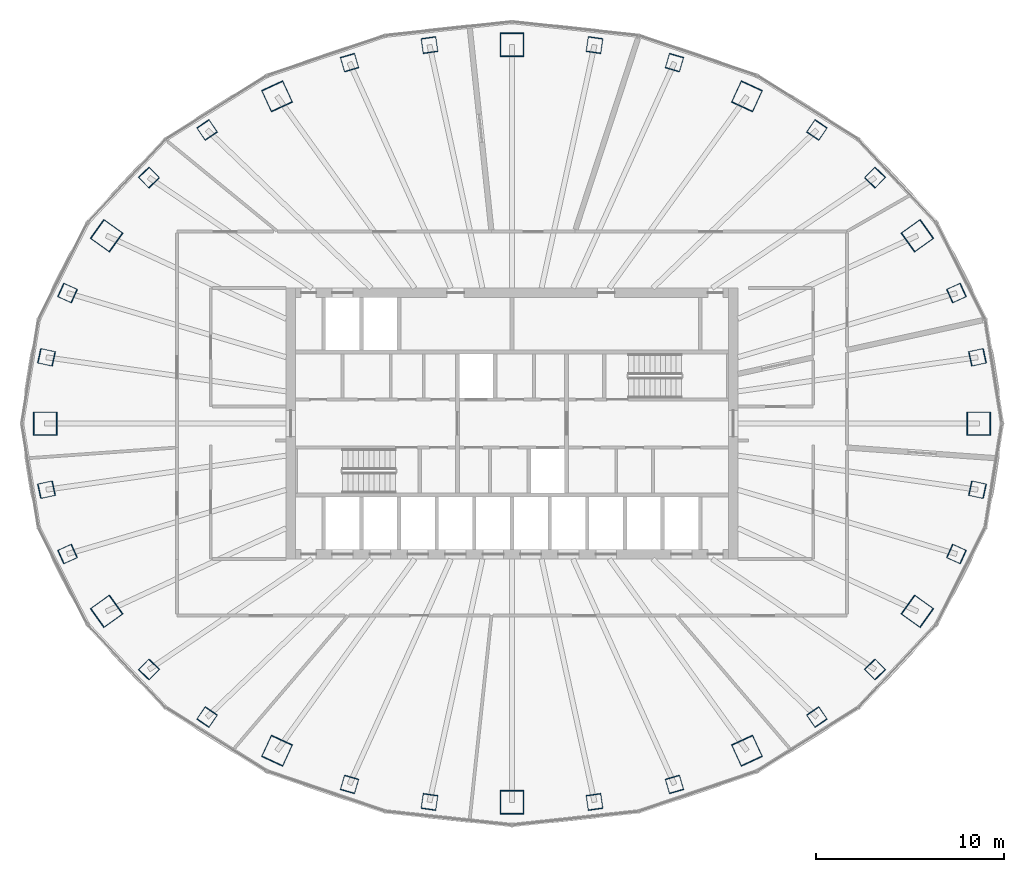
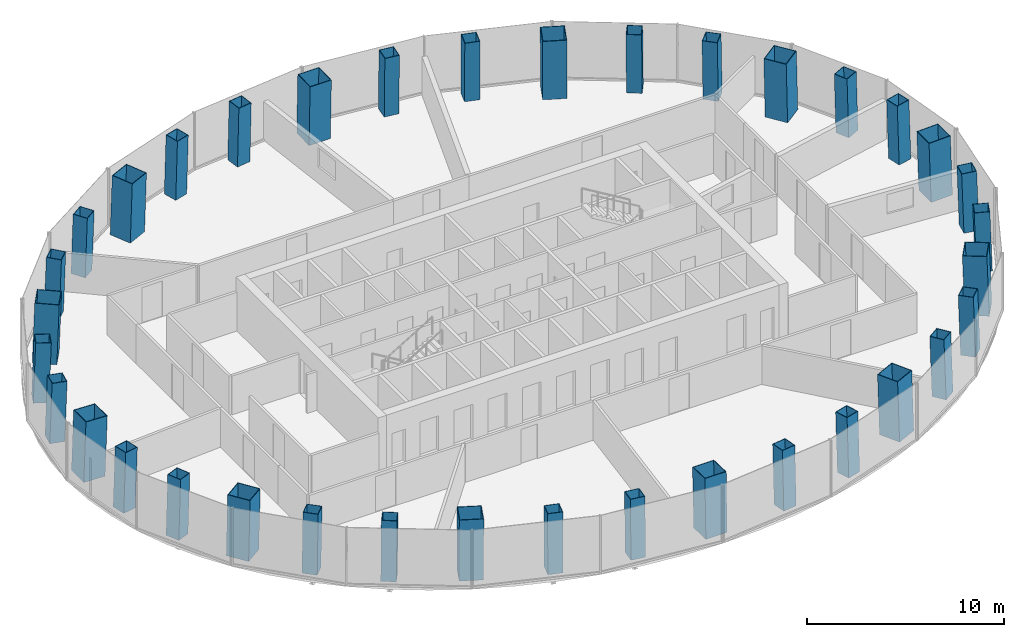
# One storey, part 1 of 12: 36 columns.
"""IFC4 building model written with IfcOpenShell, lengths in metres."""

from ifc_helpers import new_model, si_unit, direction, frame, origin, origin_2d, place, context, subcontext, project, spatial, hollow_rectangle, extrude, material, material_profile, profile_set, type_object, element, save


model = new_model("IFC4")

# Units and contexts
model_context = context("Model", 3, precision=1e-05, world=origin(), true_north=direction((0.0, 1.0)))
body_context = subcontext(model_context, "Body", "Model", "MODEL_VIEW")
ifc_project = project(units=[si_unit("LENGTHUNIT", "METRE"), si_unit("AREAUNIT", "SQUARE_METRE"), si_unit("VOLUMEUNIT", "CUBIC_METRE"), si_unit("PLANEANGLEUNIT", "RADIAN"), si_unit("MASSUNIT", "GRAM", prefix="KILO")], contexts=[model_context])

# Site, building, storey
site_placement = place(None, origin())
site = spatial("IfcSite", under=ifc_project, at=site_placement, CompositionType="ELEMENT")
building_placement = place(site_placement, origin())
building = spatial("IfcBuilding", under=site, at=building_placement, Name="Siaravel Broadcast Tower", CompositionType="ELEMENT")
storey_placement = place(building_placement, frame((0.0, 0.0, 104.5)))
storey = spatial("IfcBuildingStorey", under=building, at=storey_placement, Name="L24", CompositionType="ELEMENT", Elevation=104.5)

# Columns
ifc_material = material(Name="Concrete C60/75", Category="concrete")
ifc_material_profile_1 = material_profile(ifc_material, hollow_rectangle(XDim=1.25, YDim=1.25, WallThickness=0.031982421875, at=origin_2d()))
ifc_profile_set_1 = profile_set([ifc_material_profile_1], Name="Concrete C60/75")
column_type_1 = type_object("IfcColumnType", Name="COL-CFT BOX 1250x1250x32", PredefinedType="COLUMN", material=ifc_profile_set_1)
column_1_placement = place(storey_placement, frame((24.825439453125, 0.0, 0.0), z_axis=(-0.034555398, 0.0, 0.999402784), x_axis=(0.0, -1.0, 0.0)))
element("IfcColumn", 1, at=column_1_placement, inside=storey, type_object=column_type_1, Name="Megacolumn MC01", PredefinedType="COLUMN", context=body_context, shape_type="SweptSolid", body=[
    extrude(hollow_rectangle(XDim=1.25, YDim=1.25, WallThickness=0.031982421875, at=origin_2d()), origin(), (0.0, 0.0, 1.0), 3.7021484375),
])
column_2_placement = place(storey_placement, frame((21.552978515625, 9.984130859375, 0.0), z_axis=(-0.029940695, -0.014113015, 0.999452039), x_axis=(0.581474578, -0.813542951, 0.005931459)))
element("IfcColumn", 2, at=column_2_placement, inside=storey, type_object=column_type_1, Name="Megacolumn MC02", PredefinedType="COLUMN", context=body_context, shape_type="SweptSolid", body=[
    extrude(hollow_rectangle(XDim=1.25, YDim=1.25, WallThickness=0.031982421875, at=origin_2d()), origin(), (0.0, 0.0, 1.0), 3.701904296875),
])
column_3_placement = place(storey_placement, frame((12.492431640625, 17.396484375, 0.0), z_axis=(-0.017280209, -0.024601214, 0.999547985), x_axis=(0.908368768, -0.418135009, 0.00541262)))
element("IfcColumn", 3, at=column_3_placement, inside=storey, type_object=column_type_1, Name="Megacolumn MC03", PredefinedType="COLUMN", context=body_context, shape_type="SweptSolid", body=[
    extrude(hollow_rectangle(XDim=1.25, YDim=1.25, WallThickness=0.031982421875, at=origin_2d()), origin(), (0.0, 0.0, 1.0), 3.70166015625),
])
column_4_placement = place(storey_placement, frame((0.0, 20.135986328125, 0.0), z_axis=(0.0, -0.02836206, 0.999597716), x_axis=(1.0, 0.0, 0.0)))
element("IfcColumn", 4, at=column_4_placement, inside=storey, type_object=column_type_1, Name="Megacolumn MC04", PredefinedType="COLUMN", context=body_context, shape_type="SweptSolid", body=[
    extrude(hollow_rectangle(XDim=1.25, YDim=1.25, WallThickness=0.031982421875, at=origin_2d()), origin(), (0.0, 0.0, 1.0), 3.701416015625),
])
column_5_placement = place(storey_placement, frame((-12.492431640625, 17.396484375, 0.0), z_axis=(0.017280209, -0.024601214, 0.999547985), x_axis=(0.908368768, 0.418135009, -0.00541262)))
element("IfcColumn", 5, at=column_5_placement, inside=storey, type_object=column_type_1, Name="Megacolumn MC05", PredefinedType="COLUMN", context=body_context, shape_type="SweptSolid", body=[
    extrude(hollow_rectangle(XDim=1.25, YDim=1.25, WallThickness=0.031982421875, at=origin_2d()), origin(), (0.0, 0.0, 1.0), 3.70166015625),
])
column_6_placement = place(storey_placement, frame((-21.552978515625, 9.984130859375, 0.0), z_axis=(0.029940695, -0.014113015, 0.999452039), x_axis=(0.581474578, 0.813542951, -0.005931459)))
element("IfcColumn", 6, at=column_6_placement, inside=storey, type_object=column_type_1, Name="Megacolumn MC06", PredefinedType="COLUMN", context=body_context, shape_type="SweptSolid", body=[
    extrude(hollow_rectangle(XDim=1.25, YDim=1.25, WallThickness=0.031982421875, at=origin_2d()), origin(), (0.0, 0.0, 1.0), 3.701904296875),
])
column_7_placement = place(storey_placement, frame((-24.825439453125, 0.0, 0.0), z_axis=(0.034555398, 0.0, 0.999402784), x_axis=(0.0, 1.0, 0.0)))
element("IfcColumn", 7, at=column_7_placement, inside=storey, type_object=column_type_1, Name="Megacolumn MC07", PredefinedType="COLUMN", context=body_context, shape_type="SweptSolid", body=[
    extrude(hollow_rectangle(XDim=1.25, YDim=1.25, WallThickness=0.031982421875, at=origin_2d()), origin(), (0.0, 0.0, 1.0), 3.7021484375),
])
column_8_placement = place(storey_placement, frame((-21.552978515625, -9.984130859375, 0.0), z_axis=(0.029940695, 0.014113015, 0.999452039), x_axis=(-0.581474578, 0.813542951, 0.005931459)))
element("IfcColumn", 8, at=column_8_placement, inside=storey, type_object=column_type_1, Name="Megacolumn MC08", PredefinedType="COLUMN", context=body_context, shape_type="SweptSolid", body=[
    extrude(hollow_rectangle(XDim=1.25, YDim=1.25, WallThickness=0.031982421875, at=origin_2d()), origin(), (0.0, 0.0, 1.0), 3.701904296875),
])
column_9_placement = place(storey_placement, frame((-12.492431640625, -17.396484375, 0.0), z_axis=(0.017280209, 0.024601214, 0.999547985), x_axis=(-0.908368768, 0.418135009, 0.00541262)))
element("IfcColumn", 9, at=column_9_placement, inside=storey, type_object=column_type_1, Name="Megacolumn MC09", PredefinedType="COLUMN", context=body_context, shape_type="SweptSolid", body=[
    extrude(hollow_rectangle(XDim=1.25, YDim=1.25, WallThickness=0.031982421875, at=origin_2d()), origin(), (0.0, 0.0, 1.0), 3.70166015625),
])
column_10_placement = place(storey_placement, frame((0.0, -20.135986328125, 0.0), z_axis=(0.0, 0.02836206, 0.999597716), x_axis=(-1.0, 0.0, 0.0)))
element("IfcColumn", 10, at=column_10_placement, inside=storey, type_object=column_type_1, Name="Megacolumn MC10", PredefinedType="COLUMN", context=body_context, shape_type="SweptSolid", body=[
    extrude(hollow_rectangle(XDim=1.25, YDim=1.25, WallThickness=0.031982421875, at=origin_2d()), origin(), (0.0, 0.0, 1.0), 3.701416015625),
])
column_11_placement = place(storey_placement, frame((12.492431640625, -17.396484375, 0.0), z_axis=(-0.017280209, 0.024601214, 0.999547985), x_axis=(-0.908368768, -0.418135009, -0.00541262)))
element("IfcColumn", 11, at=column_11_placement, inside=storey, type_object=column_type_1, Name="Megacolumn MC11", PredefinedType="COLUMN", context=body_context, shape_type="SweptSolid", body=[
    extrude(hollow_rectangle(XDim=1.25, YDim=1.25, WallThickness=0.031982421875, at=origin_2d()), origin(), (0.0, 0.0, 1.0), 3.70166015625),
])
column_12_placement = place(storey_placement, frame((21.552978515625, -9.984130859375, 0.0), z_axis=(-0.029940695, 0.014113015, 0.999452039), x_axis=(-0.581474578, -0.813542951, -0.005931459)))
element("IfcColumn", 12, at=column_12_placement, inside=storey, type_object=column_type_1, Name="Megacolumn MC12", PredefinedType="COLUMN", context=body_context, shape_type="SweptSolid", body=[
    extrude(hollow_rectangle(XDim=1.25, YDim=1.25, WallThickness=0.031982421875, at=origin_2d()), origin(), (0.0, 0.0, 1.0), 3.701904296875),
])
ifc_material_profile_2 = material_profile(ifc_material, hollow_rectangle(XDim=0.800048828125, YDim=0.800048828125, WallThickness=0.02490234375, at=origin_2d()))
ifc_profile_set_2 = profile_set([ifc_material_profile_2], Name="Concrete C60/75")
column_type_2 = type_object("IfcColumnType", Name="COL-CFT BOX 800x800x25", PredefinedType="COLUMN", material=ifc_profile_set_2)
for number, where, z_axis, x_axis, name in (
    (13, (24.74951171875, 3.519287109375, 0.0), (-0.034093903, -0.004945924, 0.999406396), (0.213162532, -0.977013714, 0.002436754), "Perimeter column C01"),
    (14, (23.630859375, 6.938232421875, 0.0), (-0.032511791, -0.009694185, 0.999424337), (0.409822035, -0.912154479, 0.004484035), "Perimeter column C02"),
):
    element("IfcColumn", number, at=place(storey_placement, frame(where, z_axis=z_axis, x_axis=x_axis)), inside=storey, type_object=column_type_2, Name=name, PredefinedType="COLUMN", context=body_context, shape_type="SweptSolid", body=[
        extrude(hollow_rectangle(XDim=0.800048828125, YDim=0.800048828125, WallThickness=0.02490234375, at=origin_2d()), origin(), (0.0, 0.0, 1.0), 3.7021484375),
    ])
column_13_placement = place(storey_placement, frame((19.30126953125, 13.07763671875, 0.0), z_axis=(-0.026512179, -0.018202391, 0.999482755), x_axis=(0.719777992, -0.694174352, 0.006450586)))
element("IfcColumn", 15, at=column_13_placement, inside=storey, type_object=column_type_2, Name="Perimeter column C03", PredefinedType="COLUMN", context=body_context, shape_type="SweptSolid", body=[
    extrude(hollow_rectangle(XDim=0.800048828125, YDim=0.800048828125, WallThickness=0.02490234375, at=origin_2d()), origin(), (0.0, 0.0, 1.0), 3.701904296875),
])
column_14_placement = place(storey_placement, frame((16.21142578125, 15.6083984375, 0.0), z_axis=(-0.022226156, -0.021698532, 0.999517469), x_axis=(0.827949859, -0.560767445, 0.006237322)))
element("IfcColumn", 16, at=column_14_placement, inside=storey, type_object=column_type_2, Name="Perimeter column C04", PredefinedType="COLUMN", context=body_context, shape_type="SweptSolid", body=[
    extrude(hollow_rectangle(XDim=0.800048828125, YDim=0.800048828125, WallThickness=0.02490234375, at=origin_2d()), origin(), (0.0, 0.0, 1.0), 3.70166015625),
])
for number, where, z_axis, x_axis, name in (
    (17, (8.638427734375, 19.1884765625, 0.0), (-0.011806287, -0.026580634, 0.999576951), (0.959717314, -0.280940812, 0.003864748), "Perimeter column C05"),
    (18, (4.387451171875, 20.12158203125, 0.0), (-0.006002173, -0.027900212, 0.999592693), (0.990118132, -0.140221106, 0.002031489), "Perimeter column C06"),
    (19, (-4.387451171875, 20.12158203125, 0.0), (0.006002173, -0.027900212, 0.999592693), (0.990118132, 0.140221106, -0.002031489), "Perimeter column C07"),
    (20, (-8.638427734375, 19.1884765625, 0.0), (0.011806287, -0.026580634, 0.999576951), (0.959717314, 0.280940812, -0.003864748), "Perimeter column C08"),
):
    element("IfcColumn", number, at=place(storey_placement, frame(where, z_axis=z_axis, x_axis=x_axis)), inside=storey, type_object=column_type_2, Name=name, PredefinedType="COLUMN", context=body_context, shape_type="SweptSolid", body=[
        extrude(hollow_rectangle(XDim=0.800048828125, YDim=0.800048828125, WallThickness=0.02490234375, at=origin_2d()), origin(), (0.0, 0.0, 1.0), 3.701416015625),
    ])
column_15_placement = place(storey_placement, frame((-16.21142578125, 15.6083984375, 0.0), z_axis=(0.022226156, -0.021698532, 0.999517469), x_axis=(0.827949859, 0.560767445, -0.006237322)))
element("IfcColumn", 21, at=column_15_placement, inside=storey, type_object=column_type_2, Name="Perimeter column C09", PredefinedType="COLUMN", context=body_context, shape_type="SweptSolid", body=[
    extrude(hollow_rectangle(XDim=0.800048828125, YDim=0.800048828125, WallThickness=0.02490234375, at=origin_2d()), origin(), (0.0, 0.0, 1.0), 3.70166015625),
])
column_16_placement = place(storey_placement, frame((-19.30126953125, 13.07763671875, 0.0), z_axis=(0.026512179, -0.018202391, 0.999482755), x_axis=(0.719777992, 0.694174352, -0.006450586)))
element("IfcColumn", 22, at=column_16_placement, inside=storey, type_object=column_type_2, Name="Perimeter column C10", PredefinedType="COLUMN", context=body_context, shape_type="SweptSolid", body=[
    extrude(hollow_rectangle(XDim=0.800048828125, YDim=0.800048828125, WallThickness=0.02490234375, at=origin_2d()), origin(), (0.0, 0.0, 1.0), 3.701904296875),
])
for number, where, z_axis, x_axis, name in (
    (23, (-23.630859375, 6.938232421875, 0.0), (0.032511791, -0.009694185, 0.999424337), (0.409822035, 0.912154479, -0.004484035), "Perimeter column C11"),
    (24, (-24.74951171875, 3.519287109375, 0.0), (0.034093903, -0.004945924, 0.999406396), (0.213162532, 0.977013714, -0.002436754), "Perimeter column C12"),
    (25, (-24.74951171875, -3.519287109375, 0.0), (0.034093903, 0.004945924, 0.999406396), (-0.213162532, 0.977013714, 0.002436754), "Perimeter column C13"),
    (26, (-23.630859375, -6.938232421875, 0.0), (0.032511791, 0.009694185, 0.999424337), (-0.409822035, 0.912154479, 0.004484035), "Perimeter column C14"),
):
    element("IfcColumn", number, at=place(storey_placement, frame(where, z_axis=z_axis, x_axis=x_axis)), inside=storey, type_object=column_type_2, Name=name, PredefinedType="COLUMN", context=body_context, shape_type="SweptSolid", body=[
        extrude(hollow_rectangle(XDim=0.800048828125, YDim=0.800048828125, WallThickness=0.02490234375, at=origin_2d()), origin(), (0.0, 0.0, 1.0), 3.7021484375),
    ])
column_17_placement = place(storey_placement, frame((-19.30126953125, -13.07763671875, 0.0), z_axis=(0.026512179, 0.018202391, 0.999482755), x_axis=(-0.719777992, 0.694174352, 0.006450586)))
element("IfcColumn", 27, at=column_17_placement, inside=storey, type_object=column_type_2, Name="Perimeter column C15", PredefinedType="COLUMN", context=body_context, shape_type="SweptSolid", body=[
    extrude(hollow_rectangle(XDim=0.800048828125, YDim=0.800048828125, WallThickness=0.02490234375, at=origin_2d()), origin(), (0.0, 0.0, 1.0), 3.701904296875),
])
column_18_placement = place(storey_placement, frame((-16.21142578125, -15.6083984375, 0.0), z_axis=(0.022226156, 0.021698532, 0.999517469), x_axis=(-0.827949859, 0.560767445, 0.006237322)))
element("IfcColumn", 28, at=column_18_placement, inside=storey, type_object=column_type_2, Name="Perimeter column C16", PredefinedType="COLUMN", context=body_context, shape_type="SweptSolid", body=[
    extrude(hollow_rectangle(XDim=0.800048828125, YDim=0.800048828125, WallThickness=0.02490234375, at=origin_2d()), origin(), (0.0, 0.0, 1.0), 3.70166015625),
])
for number, where, z_axis, x_axis, name in (
    (29, (-8.638427734375, -19.1884765625, 0.0), (0.011806287, 0.026580634, 0.999576951), (-0.959717314, 0.280940812, 0.003864748), "Perimeter column C17"),
    (30, (-4.387451171875, -20.12158203125, 0.0), (0.006002173, 0.027900212, 0.999592693), (-0.990118132, 0.140221106, 0.002031489), "Perimeter column C18"),
    (31, (4.387451171875, -20.12158203125, 0.0), (-0.006002173, 0.027900212, 0.999592693), (-0.990118132, -0.140221106, -0.002031489), "Perimeter column C19"),
    (32, (8.638427734375, -19.1884765625, 0.0), (-0.011806287, 0.026580634, 0.999576951), (-0.959717314, -0.280940812, -0.003864748), "Perimeter column C20"),
):
    element("IfcColumn", number, at=place(storey_placement, frame(where, z_axis=z_axis, x_axis=x_axis)), inside=storey, type_object=column_type_2, Name=name, PredefinedType="COLUMN", context=body_context, shape_type="SweptSolid", body=[
        extrude(hollow_rectangle(XDim=0.800048828125, YDim=0.800048828125, WallThickness=0.02490234375, at=origin_2d()), origin(), (0.0, 0.0, 1.0), 3.701416015625),
    ])
column_19_placement = place(storey_placement, frame((16.21142578125, -15.6083984375, 0.0), z_axis=(-0.022226156, 0.021698532, 0.999517469), x_axis=(-0.827949859, -0.560767445, -0.006237322)))
element("IfcColumn", 33, at=column_19_placement, inside=storey, type_object=column_type_2, Name="Perimeter column C21", PredefinedType="COLUMN", context=body_context, shape_type="SweptSolid", body=[
    extrude(hollow_rectangle(XDim=0.800048828125, YDim=0.800048828125, WallThickness=0.02490234375, at=origin_2d()), origin(), (0.0, 0.0, 1.0), 3.70166015625),
])
column_20_placement = place(storey_placement, frame((19.30126953125, -13.07763671875, 0.0), z_axis=(-0.026512179, 0.018202391, 0.999482755), x_axis=(-0.719777992, -0.694174352, -0.006450586)))
element("IfcColumn", 34, at=column_20_placement, inside=storey, type_object=column_type_2, Name="Perimeter column C22", PredefinedType="COLUMN", context=body_context, shape_type="SweptSolid", body=[
    extrude(hollow_rectangle(XDim=0.800048828125, YDim=0.800048828125, WallThickness=0.02490234375, at=origin_2d()), origin(), (0.0, 0.0, 1.0), 3.701904296875),
])
for number, where, z_axis, x_axis, name in (
    (35, (23.630859375, -6.938232421875, 0.0), (-0.032511791, 0.009694185, 0.999424337), (-0.409822035, -0.912154479, -0.004484035), "Perimeter column C23"),
    (36, (24.74951171875, -3.519287109375, 0.0), (-0.034093903, 0.004945924, 0.999406396), (-0.213162532, -0.977013714, -0.002436754), "Perimeter column C24"),
):
    element("IfcColumn", number, at=place(storey_placement, frame(where, z_axis=z_axis, x_axis=x_axis)), inside=storey, type_object=column_type_2, Name=name, PredefinedType="COLUMN", context=body_context, shape_type="SweptSolid", body=[
        extrude(hollow_rectangle(XDim=0.800048828125, YDim=0.800048828125, WallThickness=0.02490234375, at=origin_2d()), origin(), (0.0, 0.0, 1.0), 3.7021484375),
    ])

save(model, "model.ifc")
